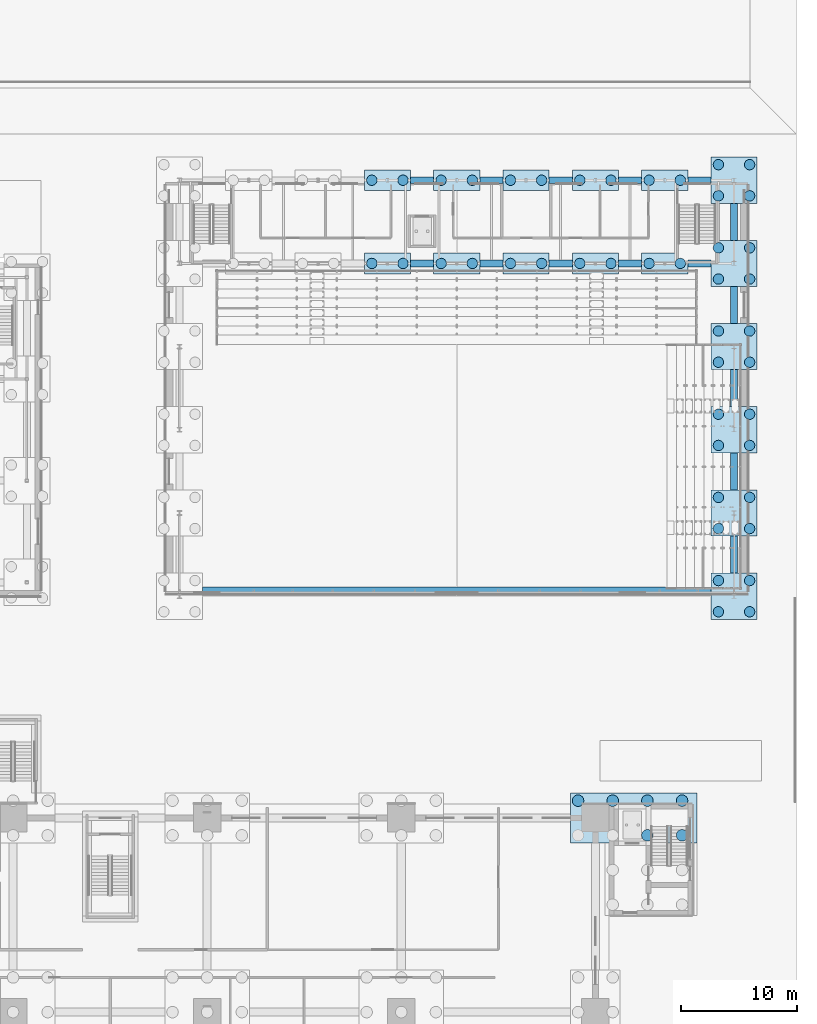
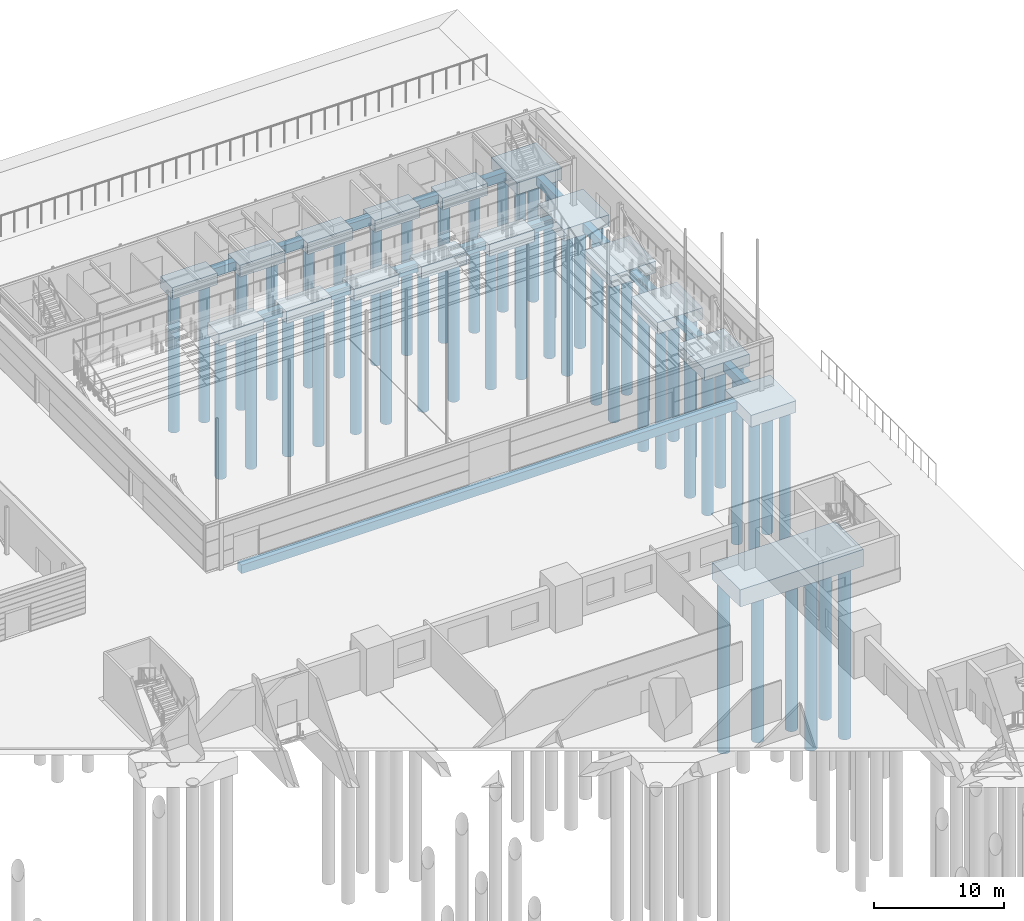
# One storey, part 7 of 139: 50 piles, 33 footings.
"""IFC4 building model written with IfcOpenShell, lengths in metres."""

from ifc_helpers import new_model, si_unit, direction, frame, origin, origin_2d, place, context, subcontext, project, spatial, polyline, rectangle, circle, outline, extrude, material, layer, layer_set, material_profile, profile_set, type_object, element, save


model = new_model("IFC4")

# Units and contexts
model_context = context("Model", 3, precision=1e-05, world=origin(), true_north=direction((0.0, 1.0)))
body_context = subcontext(model_context, "Body", "Model", "MODEL_VIEW")
ifc_project = project(units=[si_unit("LENGTHUNIT", "METRE"), si_unit("AREAUNIT", "SQUARE_METRE"), si_unit("VOLUMEUNIT", "CUBIC_METRE"), si_unit("PLANEANGLEUNIT", "RADIAN"), si_unit("MASSUNIT", "GRAM", prefix="KILO")], contexts=[model_context])

# Site, building, storey
site_placement = place(None, origin())
site = spatial("IfcSite", under=ifc_project, at=site_placement, CompositionType="ELEMENT")
building_placement = place(site_placement, origin())
building = spatial("IfcBuilding", under=site, at=building_placement, Name="Verrick Yard Athletic Hall", CompositionType="ELEMENT")
storey_placement = place(building_placement, origin())
storey = spatial("IfcBuildingStorey", under=building, at=storey_placement, Name="L00", CompositionType="ELEMENT", Elevation=0.0)

# Piles
ifc_material = material(Name="Concrete 35 MPa", Category="concrete")
ifc_material_profile_1 = material_profile(ifc_material, circle(Radius=0.449951171875, at=origin_2d()), Name="Bored pile 900")
ifc_profile_set_1 = profile_set([ifc_material_profile_1], Name="Concrete 35 MPa")
pile_type_1 = type_object("IfcPileType", Name="HB bored pile 900", PredefinedType="BORED", material=ifc_profile_set_1)
for number, where, z_axis, x_axis, name in (
    (1, (168.25, 70.64990234375, -1.5), (0.0, 0.0, -1.0), (1.0, 0.0, 0.0), "HB-PC-HAE1-PL1"),
    (2, (170.949951171875, 70.64990234375, -1.5), (0.0, 0.0, -1.0), (1.0, 0.0, 0.0), "HB-PC-HAE1-PL2"),
    (3, (168.25, 73.35009765625, -1.5), (0.0, 0.0, -1.0), (1.0, 0.0, 0.0), "HB-PC-HAE1-PL3"),
    (4, (170.949951171875, 73.35009765625, -1.5), (0.0, 0.0, -1.0), (1.0, 0.0, 0.0), "HB-PC-HAE1-PL4"),
    (5, (168.25, 77.85009765625, -1.5), (0.0, 0.0, -1.0), (1.0, 0.0, 0.0), "HB-PC-HAE2-PL1"),
    (6, (170.949951171875, 77.85009765625, -1.5), (0.0, 0.0, -1.0), (1.0, 0.0, 0.0), "HB-PC-HAE2-PL2"),
    (7, (168.25, 80.550048828125, -1.5), (0.0, 0.0, -1.0), (1.0, 0.0, 0.0), "HB-PC-HAE2-PL3"),
    (8, (170.949951171875, 80.550048828125, -1.5), (0.0, 0.0, -1.0), (1.0, 0.0, 0.0), "HB-PC-HAE2-PL4"),
    (9, (168.25, 85.050048828125, -1.5), (0.0, 0.0, -1.0), (1.0, 0.0, 0.0), "HB-PC-HAE3-PL1"),
    (10, (170.949951171875, 85.050048828125, -1.5), (0.0, 0.0, -1.0), (1.0, 0.0, 0.0), "HB-PC-HAE3-PL2"),
    (11, (168.25, 87.75, -1.5), (0.0, 0.0, -1.0), (1.0, 0.0, 0.0), "HB-PC-HAE3-PL3"),
    (12, (170.949951171875, 87.75, -1.5), (0.0, 0.0, -1.0), (1.0, 0.0, 0.0), "HB-PC-HAE3-PL4"),
    (13, (168.25, 92.25, -1.5), (0.0, 0.0, -1.0), (1.0, 0.0, 0.0), "HB-PC-HAE4-PL1"),
    (14, (170.949951171875, 92.25, -1.5), (0.0, 0.0, -1.0), (1.0, 0.0, 0.0), "HB-PC-HAE4-PL2"),
    (15, (168.25, 94.949951171875, -1.5), (0.0, 0.0, -1.0), (1.0, 0.0, 0.0), "HB-PC-HAE4-PL3"),
    (16, (170.949951171875, 94.949951171875, -1.5), (0.0, 0.0, -1.0), (1.0, 0.0, 0.0), "HB-PC-HAE4-PL4"),
    (17, (168.25, 99.449951171875, -1.5), (0.0, 0.0, -1.0), (1.0, 0.0, 0.0), "HB-PC-HAE5-PL1"),
    (18, (170.949951171875, 99.449951171875, -1.5), (0.0, 0.0, -1.0), (1.0, 0.0, 0.0), "HB-PC-HAE5-PL2"),
    (19, (168.25, 102.14990234375, -1.5), (0.0, 0.0, -1.0), (1.0, 0.0, 0.0), "HB-PC-HAE5-PL3"),
    (20, (170.949951171875, 102.14990234375, -1.5), (0.0, 0.0, -1.0), (1.0, 0.0, 0.0), "HB-PC-HAE5-PL4"),
    (21, (168.25, 106.64990234375, -1.5), (0.0, 0.0, -1.0), (1.0, 0.0, 0.0), "HB-PC-HAE6-PL1"),
    (22, (170.949951171875, 106.64990234375, -1.5), (0.0, 0.0, -1.0), (1.0, 0.0, 0.0), "HB-PC-HAE6-PL2"),
    (23, (168.25, 109.35009765625, -1.5), (0.0, 0.0, -1.0), (1.0, 0.0, 0.0), "HB-PC-HAE6-PL3"),
    (24, (170.949951171875, 109.35009765625, -1.5), (0.0, 0.0, -1.0), (1.0, 0.0, 0.0), "HB-PC-HAE6-PL4"),
    (25, (138.25, 100.800048828125, -1.5), (0.0, 0.0, -1.0), (1.0, 0.0, 0.0), "HB-PC-A-B3S-PL1"),
    (26, (140.949951171875, 100.800048828125, -1.5), (0.0, 0.0, -1.0), (1.0, 0.0, 0.0), "HB-PC-A-B3S-PL2"),
    (27, (138.25, 108.0, -1.5), (0.0, 0.0, -1.0), (1.0, 0.0, 0.0), "HB-PC-A-B3N-PL1"),
    (28, (140.949951171875, 108.0, -1.5), (0.0, 0.0, -1.0), (1.0, 0.0, 0.0), "HB-PC-A-B3N-PL2"),
    (29, (144.25, 100.800048828125, -1.5), (0.0, 0.0, -1.0), (1.0, 0.0, 0.0), "HB-PC-A-B4S-PL1"),
    (30, (146.949951171875, 100.800048828125, -1.5), (0.0, 0.0, -1.0), (1.0, 0.0, 0.0), "HB-PC-A-B4S-PL2"),
    (31, (144.25, 108.0, -1.5), (0.0, 0.0, -1.0), (1.0, 0.0, 0.0), "HB-PC-A-B4N-PL1"),
    (32, (146.949951171875, 108.0, -1.5), (0.0, 0.0, -1.0), (1.0, 0.0, 0.0), "HB-PC-A-B4N-PL2"),
    (33, (150.25, 100.800048828125, -1.5), (0.0, 0.0, -1.0), (1.0, 0.0, 0.0), "HB-PC-A-B5S-PL1"),
    (34, (152.949951171875, 100.800048828125, -1.5), (0.0, 0.0, -1.0), (1.0, 0.0, 0.0), "HB-PC-A-B5S-PL2"),
    (35, (150.25, 108.0, -1.5), (0.0, 0.0, -1.0), (1.0, 0.0, 0.0), "HB-PC-A-B5N-PL1"),
    (36, (152.949951171875, 108.0, -1.5), (0.0, 0.0, -1.0), (1.0, 0.0, 0.0), "HB-PC-A-B5N-PL2"),
    (37, (156.25, 100.800048828125, -1.5), (0.0, 0.0, -1.0), (1.0, 0.0, 0.0), "HB-PC-A-B6S-PL1"),
    (38, (158.949951171875, 100.800048828125, -1.5), (0.0, 0.0, -1.0), (1.0, 0.0, 0.0), "HB-PC-A-B6S-PL2"),
    (39, (156.25, 108.0, -1.5), (0.0, 0.0, -1.0), (1.0, 0.0, 0.0), "HB-PC-A-B6N-PL1"),
    (40, (158.949951171875, 108.0, -1.5), (0.0, 0.0, -1.0), (1.0, 0.0, 0.0), "HB-PC-A-B6N-PL2"),
    (41, (162.25, 100.800048828125, -1.5), (0.0, 0.0, -1.0), (1.0, 0.0, 0.0), "HB-PC-A-B7S-PL1"),
    (42, (164.949951171875, 100.800048828125, -1.5), (0.0, 0.0, -1.0), (1.0, 0.0, 0.0), "HB-PC-A-B7S-PL2"),
    (43, (162.25, 108.0, -1.5), (0.0, 0.0, -1.0), (1.0, 0.0, 0.0), "HB-PC-A-B7N-PL1"),
    (44, (164.949951171875, 108.0, -1.5), (0.0, 0.0, -1.0), (1.0, 0.0, 0.0), "HB-PC-A-B7N-PL2"),
):
    element("IfcPile", number, at=place(storey_placement, frame(where, z_axis=z_axis, x_axis=x_axis)), inside=storey, type_object=pile_type_1, Name=name, PredefinedType="BORED", context=body_context, shape_type="SweptSolid", body=[
        extrude(circle(Radius=0.449951171875, at=origin_2d()), origin(), (0.0, 0.0, 1.0), 13.10009765625),
    ])

# Footings
ifc_material_profile_2 = material_profile(ifc_material, rectangle(XDim=0.60009765625, YDim=0.800048828125, at=origin_2d()), Name="Grade beam 600x800")
ifc_profile_set_2 = profile_set([ifc_material_profile_2], Name="Concrete 35 MPa")
footing_type_1 = type_object("IfcFootingType", Name="HB grade beam 600x800", PredefinedType="FOOTING_BEAM", material=ifc_profile_set_2)
for number, where, z_axis, x_axis, name in (
    (45, (169.60009765625, 74.0, -0.89990234375), (0.0, 1.0, 0.0), (-1.0, 0.0, 0.0), "HB-GB-A-EHAE1"),
    (46, (169.60009765625, 81.199951171875, -0.89990234375), (0.0, 1.0, 0.0), (-1.0, 0.0, 0.0), "HB-GB-A-EHAE2"),
):
    element("IfcFooting", number, at=place(storey_placement, frame(where, z_axis=z_axis, x_axis=x_axis)), inside=storey, type_object=footing_type_1, Name=name, PredefinedType="FOOTING_BEAM", context=body_context, shape_type="SweptSolid", body=[
        extrude(rectangle(XDim=0.60009765625, YDim=0.800048828125, at=origin_2d()), origin(), (0.0, 0.0, 1.0), 3.199951171875),
    ])
footing_1_placement = place(storey_placement, frame((169.60009765625, 88.39990234375, -0.89990234375), z_axis=(0.0, 1.0, 0.0), x_axis=(-1.0, 0.0, 0.0)))
element("IfcFooting", 47, at=footing_1_placement, inside=storey, type_object=footing_type_1, Name="HB-GB-A-EHAE3", PredefinedType="FOOTING_BEAM", context=body_context, shape_type="SweptSolid", body=[
    extrude(rectangle(XDim=0.60009765625, YDim=0.800048828125, at=origin_2d()), origin(), (0.0, 0.0, 1.0), 3.2001953125),
])
for number, where, z_axis, x_axis, name in (
    (48, (169.60009765625, 95.60009765625, -0.89990234375), (0.0, 1.0, 0.0), (-1.0, 0.0, 0.0), "HB-GB-A-EHAE4"),
    (49, (169.60009765625, 102.800048828125, -0.89990234375), (0.0, 1.0, 0.0), (-1.0, 0.0, 0.0), "HB-GB-A-EHAE5"),
):
    element("IfcFooting", number, at=place(storey_placement, frame(where, z_axis=z_axis, x_axis=x_axis)), inside=storey, type_object=footing_type_1, Name=name, PredefinedType="FOOTING_BEAM", context=body_context, shape_type="SweptSolid", body=[
        extrude(rectangle(XDim=0.60009765625, YDim=0.800048828125, at=origin_2d()), origin(), (0.0, 0.0, 1.0), 3.199951171875),
    ])
for number, where, z_axis, x_axis, name in (
    (50, (141.60009765625, 100.800048828125, -0.89990234375), (1.0, 0.0, 0.0), (0.0, 1.0, 0.0), "HB-GB-A-R1-4"),
    (51, (147.60009765625, 100.800048828125, -0.89990234375), (1.0, 0.0, 0.0), (0.0, 1.0, 0.0), "HB-GB-A-R1-5"),
    (52, (153.60009765625, 100.800048828125, -0.89990234375), (1.0, 0.0, 0.0), (0.0, 1.0, 0.0), "HB-GB-A-R1-6"),
    (53, (159.60009765625, 100.800048828125, -0.89990234375), (1.0, 0.0, 0.0), (0.0, 1.0, 0.0), "HB-GB-A-R1-7"),
    (54, (165.60009765625, 100.800048828125, -0.89990234375), (1.0, 0.0, 0.0), (0.0, 1.0, 0.0), "HB-GB-A-R1-8"),
    (55, (141.60009765625, 108.0, -0.89990234375), (1.0, 0.0, 0.0), (0.0, 1.0, 0.0), "HB-GB-A-R2-4"),
    (56, (147.60009765625, 108.0, -0.89990234375), (1.0, 0.0, 0.0), (0.0, 1.0, 0.0), "HB-GB-A-R2-5"),
    (57, (153.60009765625, 108.0, -0.89990234375), (1.0, 0.0, 0.0), (0.0, 1.0, 0.0), "HB-GB-A-R2-6"),
    (58, (159.60009765625, 108.0, -0.89990234375), (1.0, 0.0, 0.0), (0.0, 1.0, 0.0), "HB-GB-A-R2-7"),
    (59, (165.60009765625, 108.0, -0.89990234375), (1.0, 0.0, 0.0), (0.0, 1.0, 0.0), "HB-GB-A-R2-8"),
):
    element("IfcFooting", number, at=place(storey_placement, frame(where, z_axis=z_axis, x_axis=x_axis)), inside=storey, type_object=footing_type_1, Name=name, PredefinedType="FOOTING_BEAM", context=body_context, shape_type="SweptSolid", body=[
        extrude(rectangle(XDim=0.60009765625, YDim=0.800048828125, at=origin_2d()), origin(), (0.0, 0.0, 1.0), 2.0),
    ])
footing_2_placement = place(storey_placement, frame((123.60009765625, 72.49462890625, -0.89990234375), z_axis=(1.0, 0.0, 0.0), x_axis=(0.0, 1.0, 0.0)))
element("IfcFooting", 60, at=footing_2_placement, inside=storey, type_object=footing_type_1, Name="HB-GB-A-GS", PredefinedType="FOOTING_BEAM", context=body_context, shape_type="SweptSolid", body=[
    extrude(rectangle(XDim=0.60009765625, YDim=0.800048828125, at=origin_2d()), origin(), (0.0, 0.0, 1.0), 44.0),
])
ifc_layer_1 = layer(ifc_material, 1.10009765625)
ifc_layer_set_1 = layer_set([ifc_layer_1], Name="HB pile cap four piles")
footing_type_2 = type_object("IfcFootingType", Name="HB pile cap four piles", PredefinedType="PILE_CAP", material=ifc_layer_set_1)
footing_3_placement = place(storey_placement, frame((0.0, 0.0, -1.60009765625)))
element("IfcFooting", 61, at=footing_3_placement, inside=storey, type_object=footing_type_2, Name="HB-PC-HAE1", PredefinedType="PILE_CAP", context=body_context, shape_type="SweptSolid", body=[
    extrude(outline(polyline([(167.60009765625, 70.0), (171.60009765625, 70.0), (171.60009765625, 74.0), (167.60009765625, 74.0), (167.60009765625, 70.0)])), origin(), (0.0, 0.0, 1.0), 1.10009765625),
])
footing_4_placement = place(storey_placement, frame((0.0, 0.0, -1.60009765625)))
element("IfcFooting", 62, at=footing_4_placement, inside=storey, type_object=footing_type_2, Name="HB-PC-HAE2", PredefinedType="PILE_CAP", context=body_context, shape_type="SweptSolid", body=[
    extrude(outline(polyline([(167.60009765625, 77.199951171875), (171.60009765625, 77.199951171875), (171.60009765625, 81.199951171875), (167.60009765625, 81.199951171875), (167.60009765625, 77.199951171875)])), origin(), (0.0, 0.0, 1.0), 1.10009765625),
])
footing_5_placement = place(storey_placement, frame((0.0, 0.0, -1.60009765625)))
element("IfcFooting", 63, at=footing_5_placement, inside=storey, type_object=footing_type_2, Name="HB-PC-HAE3", PredefinedType="PILE_CAP", context=body_context, shape_type="SweptSolid", body=[
    extrude(outline(polyline([(167.60009765625, 84.39990234375), (171.60009765625, 84.39990234375), (171.60009765625, 88.39990234375), (167.60009765625, 88.39990234375), (167.60009765625, 84.39990234375)])), origin(), (0.0, 0.0, 1.0), 1.10009765625),
])
footing_6_placement = place(storey_placement, frame((0.0, 0.0, -1.60009765625)))
element("IfcFooting", 64, at=footing_6_placement, inside=storey, type_object=footing_type_2, Name="HB-PC-HAE4", PredefinedType="PILE_CAP", context=body_context, shape_type="SweptSolid", body=[
    extrude(outline(polyline([(167.60009765625, 91.60009765625), (171.60009765625, 91.60009765625), (171.60009765625, 95.60009765625), (167.60009765625, 95.60009765625), (167.60009765625, 91.60009765625)])), origin(), (0.0, 0.0, 1.0), 1.10009765625),
])
footing_7_placement = place(storey_placement, frame((0.0, 0.0, -1.60009765625)))
element("IfcFooting", 65, at=footing_7_placement, inside=storey, type_object=footing_type_2, Name="HB-PC-HAE5", PredefinedType="PILE_CAP", context=body_context, shape_type="SweptSolid", body=[
    extrude(outline(polyline([(167.60009765625, 98.800048828125), (171.60009765625, 98.800048828125), (171.60009765625, 102.800048828125), (167.60009765625, 102.800048828125), (167.60009765625, 98.800048828125)])), origin(), (0.0, 0.0, 1.0), 1.10009765625),
])
footing_8_placement = place(storey_placement, frame((0.0, 0.0, -1.60009765625)))
element("IfcFooting", 66, at=footing_8_placement, inside=storey, type_object=footing_type_2, Name="HB-PC-HAE6", PredefinedType="PILE_CAP", context=body_context, shape_type="SweptSolid", body=[
    extrude(outline(polyline([(167.60009765625, 106.0), (171.60009765625, 106.0), (171.60009765625, 110.0), (167.60009765625, 110.0), (167.60009765625, 106.0)])), origin(), (0.0, 0.0, 1.0), 1.10009765625),
])
ifc_layer_2 = layer(ifc_material, 1.10009765625)
ifc_layer_set_2 = layer_set([ifc_layer_2], Name="HB pile cap two piles")
footing_type_3 = type_object("IfcFootingType", Name="HB pile cap two piles", PredefinedType="PILE_CAP", material=ifc_layer_set_2)
footing_9_placement = place(storey_placement, frame((0.0, 0.0, -1.60009765625)))
element("IfcFooting", 67, at=footing_9_placement, inside=storey, type_object=footing_type_3, Name="HB-PC-A-B3S", PredefinedType="PILE_CAP", context=body_context, shape_type="SweptSolid", body=[
    extrude(outline(polyline([(137.60009765625, 99.89990234375), (141.60009765625, 99.89990234375), (141.60009765625, 101.699951171875), (137.60009765625, 101.699951171875), (137.60009765625, 99.89990234375)])), origin(), (0.0, 0.0, 1.0), 1.10009765625),
])
footing_10_placement = place(storey_placement, frame((0.0, 0.0, -1.60009765625)))
element("IfcFooting", 68, at=footing_10_placement, inside=storey, type_object=footing_type_3, Name="HB-PC-A-B3N", PredefinedType="PILE_CAP", context=body_context, shape_type="SweptSolid", body=[
    extrude(outline(polyline([(137.60009765625, 107.10009765625), (141.60009765625, 107.10009765625), (141.60009765625, 108.89990234375), (137.60009765625, 108.89990234375), (137.60009765625, 107.10009765625)])), origin(), (0.0, 0.0, 1.0), 1.10009765625),
])
footing_11_placement = place(storey_placement, frame((0.0, 0.0, -1.60009765625)))
element("IfcFooting", 69, at=footing_11_placement, inside=storey, type_object=footing_type_3, Name="HB-PC-A-B4S", PredefinedType="PILE_CAP", context=body_context, shape_type="SweptSolid", body=[
    extrude(outline(polyline([(143.60009765625, 99.89990234375), (147.60009765625, 99.89990234375), (147.60009765625, 101.699951171875), (143.60009765625, 101.699951171875), (143.60009765625, 99.89990234375)])), origin(), (0.0, 0.0, 1.0), 1.10009765625),
])
footing_12_placement = place(storey_placement, frame((0.0, 0.0, -1.60009765625)))
element("IfcFooting", 70, at=footing_12_placement, inside=storey, type_object=footing_type_3, Name="HB-PC-A-B4N", PredefinedType="PILE_CAP", context=body_context, shape_type="SweptSolid", body=[
    extrude(outline(polyline([(143.60009765625, 107.10009765625), (147.60009765625, 107.10009765625), (147.60009765625, 108.89990234375), (143.60009765625, 108.89990234375), (143.60009765625, 107.10009765625)])), origin(), (0.0, 0.0, 1.0), 1.10009765625),
])
footing_13_placement = place(storey_placement, frame((0.0, 0.0, -1.60009765625)))
element("IfcFooting", 71, at=footing_13_placement, inside=storey, type_object=footing_type_3, Name="HB-PC-A-B5S", PredefinedType="PILE_CAP", context=body_context, shape_type="SweptSolid", body=[
    extrude(outline(polyline([(149.60009765625, 99.89990234375), (153.60009765625, 99.89990234375), (153.60009765625, 101.699951171875), (149.60009765625, 101.699951171875), (149.60009765625, 99.89990234375)])), origin(), (0.0, 0.0, 1.0), 1.10009765625),
])
footing_14_placement = place(storey_placement, frame((0.0, 0.0, -1.60009765625)))
element("IfcFooting", 72, at=footing_14_placement, inside=storey, type_object=footing_type_3, Name="HB-PC-A-B5N", PredefinedType="PILE_CAP", context=body_context, shape_type="SweptSolid", body=[
    extrude(outline(polyline([(149.60009765625, 107.10009765625), (153.60009765625, 107.10009765625), (153.60009765625, 108.89990234375), (149.60009765625, 108.89990234375), (149.60009765625, 107.10009765625)])), origin(), (0.0, 0.0, 1.0), 1.10009765625),
])
footing_15_placement = place(storey_placement, frame((0.0, 0.0, -1.60009765625)))
element("IfcFooting", 73, at=footing_15_placement, inside=storey, type_object=footing_type_3, Name="HB-PC-A-B6S", PredefinedType="PILE_CAP", context=body_context, shape_type="SweptSolid", body=[
    extrude(outline(polyline([(155.60009765625, 99.89990234375), (159.60009765625, 99.89990234375), (159.60009765625, 101.699951171875), (155.60009765625, 101.699951171875), (155.60009765625, 99.89990234375)])), origin(), (0.0, 0.0, 1.0), 1.10009765625),
])
footing_16_placement = place(storey_placement, frame((0.0, 0.0, -1.60009765625)))
element("IfcFooting", 74, at=footing_16_placement, inside=storey, type_object=footing_type_3, Name="HB-PC-A-B6N", PredefinedType="PILE_CAP", context=body_context, shape_type="SweptSolid", body=[
    extrude(outline(polyline([(155.60009765625, 107.10009765625), (159.60009765625, 107.10009765625), (159.60009765625, 108.89990234375), (155.60009765625, 108.89990234375), (155.60009765625, 107.10009765625)])), origin(), (0.0, 0.0, 1.0), 1.10009765625),
])
footing_17_placement = place(storey_placement, frame((0.0, 0.0, -1.60009765625)))
element("IfcFooting", 75, at=footing_17_placement, inside=storey, type_object=footing_type_3, Name="HB-PC-A-B7S", PredefinedType="PILE_CAP", context=body_context, shape_type="SweptSolid", body=[
    extrude(outline(polyline([(161.60009765625, 99.89990234375), (165.60009765625, 99.89990234375), (165.60009765625, 101.699951171875), (161.60009765625, 101.699951171875), (161.60009765625, 99.89990234375)])), origin(), (0.0, 0.0, 1.0), 1.10009765625),
])
footing_18_placement = place(storey_placement, frame((0.0, 0.0, -1.60009765625)))
element("IfcFooting", 76, at=footing_18_placement, inside=storey, type_object=footing_type_3, Name="HB-PC-A-B7N", PredefinedType="PILE_CAP", context=body_context, shape_type="SweptSolid", body=[
    extrude(outline(polyline([(161.60009765625, 107.10009765625), (165.60009765625, 107.10009765625), (165.60009765625, 108.89990234375), (161.60009765625, 108.89990234375), (161.60009765625, 107.10009765625)])), origin(), (0.0, 0.0, 1.0), 1.10009765625),
])

# Piles
pile_type_2 = type_object("IfcPileType", Name="STR Bored pile 1000", PredefinedType="BORED", material=ifc_material)
for number, where, z_axis, x_axis, name in (
    (77, (156.10009765625, 54.300048828125, -2.39990234375), (0.0, 0.0, -1.0), (1.0, 0.0, 0.0), "STR-PC-P8C-CB4-PL1"),
    (78, (159.10009765625, 54.300048828125, -2.39990234375), (0.0, 0.0, -1.0), (1.0, 0.0, 0.0), "STR-PC-P8C-CB4-PL3"),
    (79, (162.10009765625, 54.300048828125, -2.39990234375), (0.0, 0.0, -1.0), (1.0, 0.0, 0.0), "STR-PC-P8C-CB4-PL4"),
    (80, (165.10009765625, 54.300048828125, -2.39990234375), (0.0, 0.0, -1.0), (1.0, 0.0, 0.0), "STR-PC-P8C-CB4-PL5"),
    (81, (162.10009765625, 51.300048828125, -2.39990234375), (0.0, 0.0, -1.0), (1.0, 0.0, 0.0), "STR-PC-P8C-CB4-PL7"),
    (82, (165.10009765625, 51.300048828125, -2.39990234375), (0.0, 0.0, -1.0), (1.0, 0.0, 0.0), "STR-PC-P8C-CB4-PL8"),
):
    element("IfcPile", number, at=place(storey_placement, frame(where, z_axis=z_axis, x_axis=x_axis)), inside=storey, type_object=pile_type_2, Name=name, PredefinedType="BORED", context=body_context, shape_type="SweptSolid", body=[
        extrude(circle(Radius=0.5, at=origin_2d()), origin(), (0.0, 0.0, 1.0), 16.0),
    ])

# Footing
ifc_layer_3 = layer(ifc_material, 1.60009765625)
ifc_layer_set_3 = layer_set([ifc_layer_3], Name="STR Pile cap raft long strip PC11")
footing_type_4 = type_object("IfcFootingType", Name="STR Pile cap raft long strip PC11", PredefinedType="PILE_CAP", material=ifc_layer_set_3)
footing_19_placement = place(storey_placement, frame((0.0, 0.0, -2.5)))
element("IfcFooting", 83, at=footing_19_placement, inside=storey, type_object=footing_type_4, Name="STR-PC-P8C-CB4-R2", PredefinedType="PILE_CAP", context=body_context, shape_type="SweptSolid", body=[
    extrude(outline(polyline([(155.449951171875, 50.64990234375), (166.39990234375, 50.64990234375), (166.39990234375, 54.949951171875), (155.449951171875, 54.949951171875), (155.449951171875, 50.64990234375)])), origin(), (0.0, 0.0, 1.0), 1.60009765625),
])

save(model, "model.ifc")
